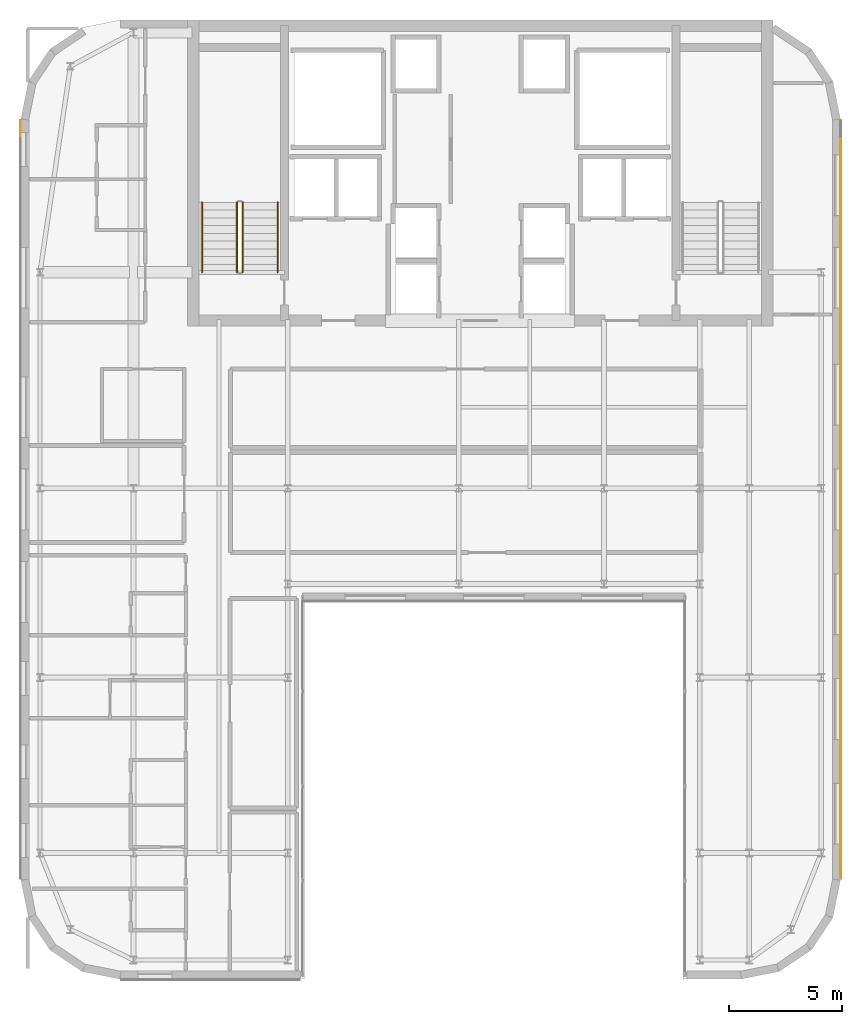
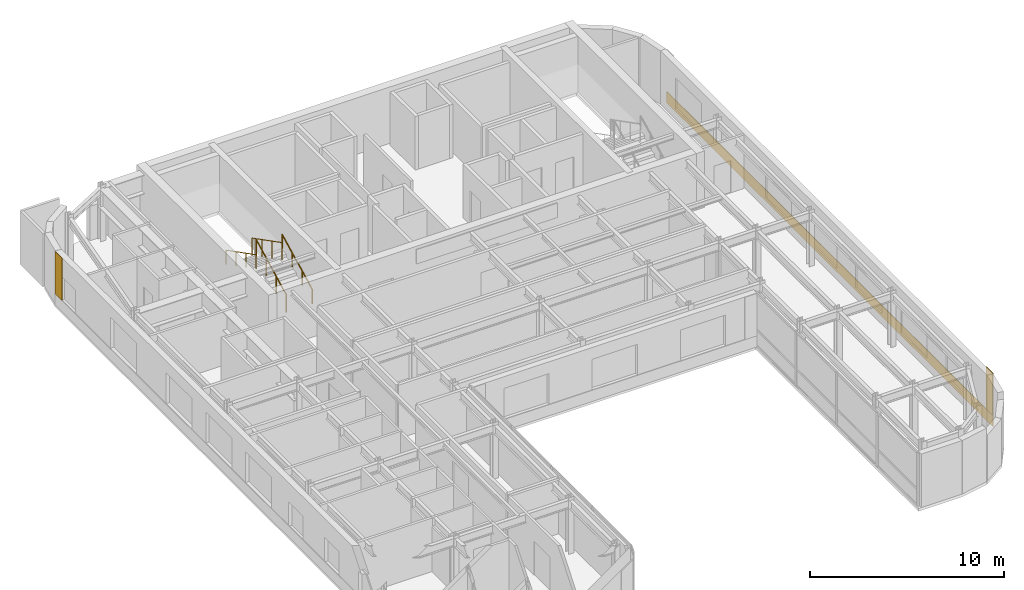
# One storey, part 20 of 21: 4 railings, 3 coverings.
"""IFC4 building model written with IfcOpenShell, lengths in metres."""

from ifc_helpers import new_model, si_unit, direction, frame, origin, origin_2d, place, context, subcontext, project, spatial, polyline, circle, outline, extrude, material, layer, layer_set, type_object, element, save


model = new_model("IFC4")

# Units and contexts
model_context = context("Model", 3, precision=1e-05, world=origin(), true_north=direction((0.0, 1.0)))
body_context = subcontext(model_context, "Body", "Model", "MODEL_VIEW")
ifc_project = project(units=[si_unit("LENGTHUNIT", "METRE"), si_unit("AREAUNIT", "SQUARE_METRE"), si_unit("VOLUMEUNIT", "CUBIC_METRE"), si_unit("PLANEANGLEUNIT", "RADIAN"), si_unit("MASSUNIT", "GRAM", prefix="KILO")], contexts=[model_context])

# Site, building, storey
site_placement = place(None, origin())
site = spatial("IfcSite", under=ifc_project, at=site_placement, CompositionType="ELEMENT")
building_placement = place(site_placement, origin())
building = spatial("IfcBuilding", under=site, at=building_placement, Name="Tolvann Quenvar Hotel", CompositionType="ELEMENT")
storey_placement = place(building_placement, frame((0.0, 0.0, 262.949951171875)))
storey = spatial("IfcBuildingStorey", under=building, at=storey_placement, Name="L70", CompositionType="ELEMENT", Elevation=262.949951171875)

# Coverings
ifc_material_1 = material(Name="Kiln-fired red architectural face brick cladding", Category="masonry")
ifc_layer_1 = layer(ifc_material_1, 0.0400390625)
ifc_layer_set_1 = layer_set([ifc_layer_1], Name="Kiln-fired red architectural face brick cladding")
covering_type_1 = type_object("IfcCoveringType", Name="COV_CLAD_BRICK_40", PredefinedType="CLADDING", material=ifc_layer_set_1)
covering_1_placement = place(storey_placement, frame((0.0, 0.0, 0.699951171875)))
element("IfcCovering", 1, at=covering_1_placement, inside=storey, type_object=covering_type_1, Name="Brick Pier Cladding (L70-E13-P1)", PredefinedType="CLADDING", context=body_context, shape_type="SweptSolid", body=[
    extrude(outline(polyline([(39.0, 7.067138671875), (39.0, 7.76708984375), (39.0400390625, 7.76708984375), (39.0400390625, 7.067138671875), (39.0, 7.067138671875)])), origin(), (0.0, 0.0, 1.0), 2.670166015625),
])
covering_2_placement = place(storey_placement, frame((0.0, 0.0, 0.699951171875)))
element("IfcCovering", 2, at=covering_2_placement, inside=storey, type_object=covering_type_1, Name="Brick Pier Cladding (L70-E23-P1)", PredefinedType="CLADDING", context=body_context, shape_type="SweptSolid", body=[
    extrude(outline(polyline([(2.60009765625, 40.73291015625), (2.60009765625, 40.03271484375), (2.56005859375, 40.03271484375), (2.56005859375, 40.73291015625), (2.60009765625, 40.73291015625)])), origin(), (0.0, 0.0, 1.0), 2.670166015625),
])
ifc_material_2 = material(Name="Moulded buff architectural terracotta spandrel cladding", Category="masonry")
ifc_layer_2 = layer(ifc_material_2, 0.0400390625)
ifc_layer_set_2 = layer_set([ifc_layer_2], Name="Moulded buff architectural terracotta spandrel cladding")
covering_type_2 = type_object("IfcCoveringType", Name="COV_CLAD_TERRA_40", PredefinedType="CLADDING", material=ifc_layer_set_2)
covering_3_placement = place(storey_placement, origin())
element("IfcCovering", 3, at=covering_3_placement, inside=storey, type_object=covering_type_2, Name="Terracotta Spandrel Cladding (L70-E13)", PredefinedType="CLADDING", context=body_context, shape_type="SweptSolid", body=[
    extrude(outline(polyline([(39.0, 7.05712890625), (39.0, 40.742919921875), (39.0400390625, 40.742919921875), (39.0400390625, 7.05712890625), (39.0, 7.05712890625)])), origin(), (0.0, 0.0, 1.0), 0.699951171875),
])

# Railings
ifc_material_3 = material(Name="Brushed 316 stainless steel balustrade and handrail", Category="steel")
railing_type_1 = type_object("IfcRailingType", Name="GUARDRAIL", PredefinedType="GUARDRAIL", material=ifc_material_3)
railing_1_placement = place(storey_placement, frame((12.449951171875, 34.0, 0.177490234375)))
element("IfcRailing", 4, at=railing_1_placement, inside=storey, type_object=railing_type_1, Name="L70 ST-C1 stair guard 1", PredefinedType="GUARDRAIL", context=body_context, shape_type="SweptSolid", body=[
    extrude(circle(Radius=0.02392578125, at=origin_2d()), frame((0.0, 0.0, 1.09619140625), z_axis=(0.0, 0.88919353882, 0.457531256332), x_axis=(-1.0, 0.0, 0.0)), (0.0, 0.0, 1.0), 3.491943359375),
    extrude(circle(Radius=0.02099609375, at=origin_2d()), origin(), (0.0, 0.0, 1.0), 1.072021484375),
    extrude(circle(Radius=0.02099609375, at=origin_2d()), frame((0.0, 1.034912109375, 0.532470703125)), (0.0, 0.0, 1.0), 1.072021484375),
    extrude(circle(Radius=0.02099609375, at=origin_2d()), frame((0.0, 2.070068359375, 1.065185546875)), (0.0, 0.0, 1.0), 1.072021484375),
    extrude(circle(Radius=0.02099609375, at=origin_2d()), frame((0.0, 3.10498046875, 1.59765625)), (0.0, 0.0, 1.0), 1.072021484375),
])
railing_2_placement = place(storey_placement, frame((12.199951171875, 37.10498046875, 1.95263671875)))
element("IfcRailing", 5, at=railing_2_placement, inside=storey, type_object=railing_type_1, Name="L70 ST-C1 stair guard 3", PredefinedType="GUARDRAIL", context=body_context, shape_type="SweptSolid", body=[
    extrude(circle(Radius=0.02392578125, at=origin_2d()), frame((0.0, 0.0, 1.09619140625), z_axis=(0.0, -0.889221982265, 0.45747597342), x_axis=(1.0, 0.0, 0.0)), (0.0, 0.0, 1.0), 3.49169921875),
    extrude(circle(Radius=0.02099609375, at=origin_2d()), origin(), (0.0, 0.0, 1.0), 1.072021484375),
    extrude(circle(Radius=0.02099609375, at=origin_2d()), frame((0.0, -1.034912109375, 0.532470703125)), (0.0, 0.0, 1.0), 1.072021484375),
    extrude(circle(Radius=0.02099609375, at=origin_2d()), frame((0.0, -2.070068359375, 1.06494140625)), (0.0, 0.0, 1.0), 1.072021484375),
    extrude(circle(Radius=0.02099609375, at=origin_2d()), frame((0.0, -3.10498046875, 1.597412109375)), (0.0, 0.0, 1.0), 1.072021484375),
])
railing_type_2 = type_object("IfcRailingType", Name="HANDRAIL", PredefinedType="HANDRAIL", material=ifc_material_3)
railing_3_placement = place(storey_placement, frame((14.0, 34.0, 0.177490234375)))
element("IfcRailing", 6, at=railing_3_placement, inside=storey, type_object=railing_type_2, Name="L70 ST-C1 stair handrail 1", PredefinedType="HANDRAIL", context=body_context, shape_type="SweptSolid", body=[
    extrude(circle(Radius=0.02392578125, at=origin_2d()), frame((0.0, 0.0, 0.8759765625), z_axis=(0.0, 0.88919353882, 0.457531256332), x_axis=(-1.0, 0.0, 0.0)), (0.0, 0.0, 1.0), 3.491943359375),
    extrude(circle(Radius=0.02099609375, at=origin_2d()), origin(), (0.0, 0.0, 1.0), 0.851806640625),
    extrude(circle(Radius=0.02099609375, at=origin_2d()), frame((0.0, 1.034912109375, 0.532470703125)), (0.0, 0.0, 1.0), 0.851806640625),
    extrude(circle(Radius=0.02099609375, at=origin_2d()), frame((0.0, 2.070068359375, 1.065185546875)), (0.0, 0.0, 1.0), 0.851806640625),
    extrude(circle(Radius=0.02099609375, at=origin_2d()), frame((0.0, 3.10498046875, 1.59765625)), (0.0, 0.0, 1.0), 0.851806640625),
])
railing_4_placement = place(storey_placement, frame((10.64990234375, 37.10498046875, 1.95263671875)))
element("IfcRailing", 7, at=railing_4_placement, inside=storey, type_object=railing_type_2, Name="L70 ST-C1 stair handrail 2", PredefinedType="HANDRAIL", context=body_context, shape_type="SweptSolid", body=[
    extrude(circle(Radius=0.02392578125, at=origin_2d()), frame((0.0, 0.0, 0.8759765625), z_axis=(0.0, -0.889221982265, 0.45747597342), x_axis=(1.0, 0.0, 0.0)), (0.0, 0.0, 1.0), 3.49169921875),
    extrude(circle(Radius=0.02099609375, at=origin_2d()), origin(), (0.0, 0.0, 1.0), 0.851806640625),
    extrude(circle(Radius=0.02099609375, at=origin_2d()), frame((0.0, -1.034912109375, 0.532470703125)), (0.0, 0.0, 1.0), 0.851806640625),
    extrude(circle(Radius=0.02099609375, at=origin_2d()), frame((0.0, -2.070068359375, 1.06494140625)), (0.0, 0.0, 1.0), 0.851806640625),
    extrude(circle(Radius=0.02099609375, at=origin_2d()), frame((0.0, -3.10498046875, 1.597412109375)), (0.0, 0.0, 1.0), 0.851806640625),
])

save(model, "model.ifc")
